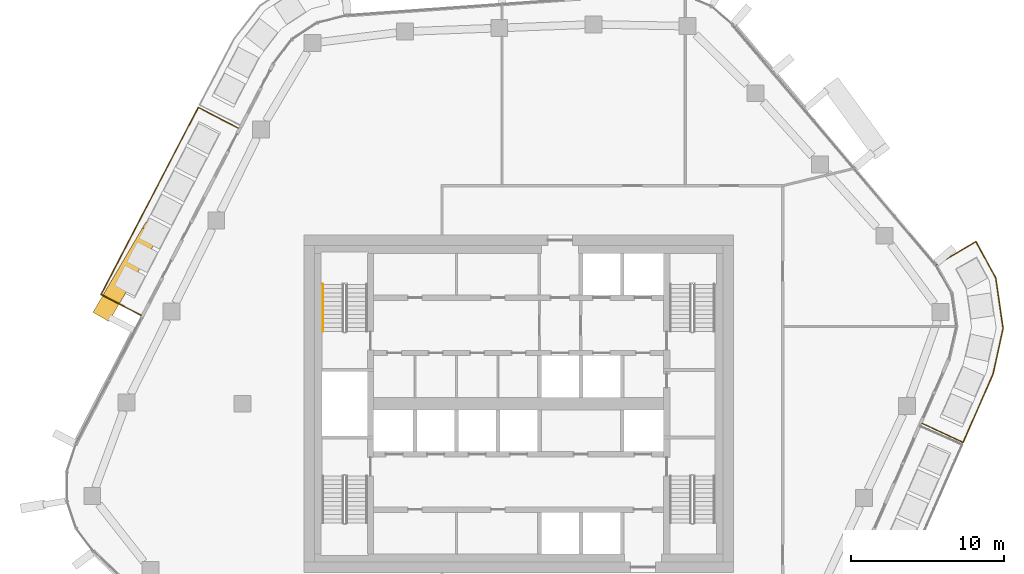
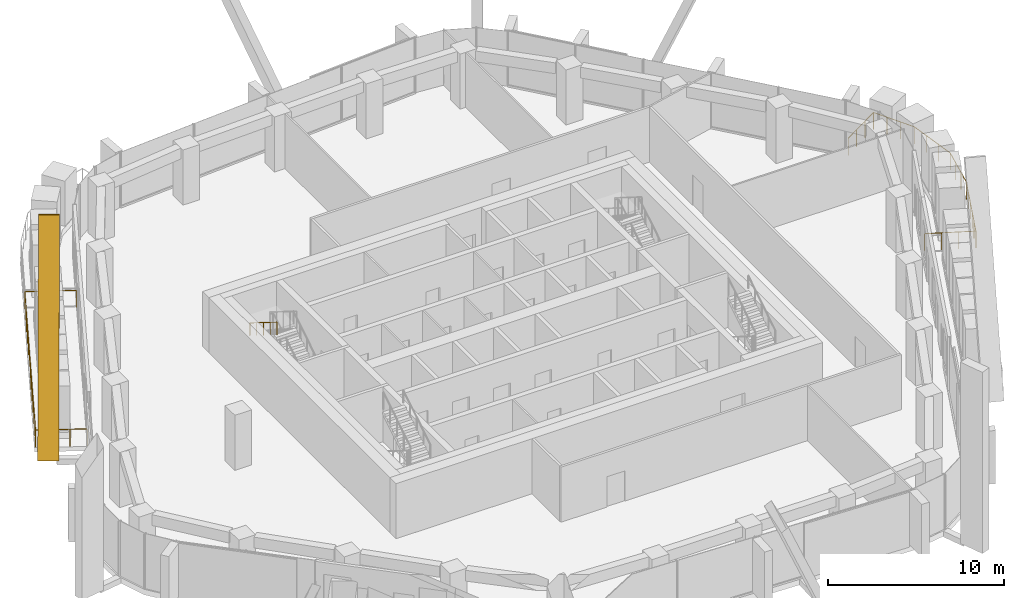
# One storey, part 17 of 20: 3 railings, 1 covering, 1 element without a shape of its own.
"""IFC4 building model written with IfcOpenShell, lengths in metres."""

from ifc_helpers import new_model, si_unit, direction, frame, origin, origin_2d, place, context, subcontext, project, spatial, rectangle, circle, extrude, material, layer, layer_set, material_profile, profile_set, type_object, element, aggregate, save


model = new_model("IFC4")

# Units and contexts
model_context = context("Model", 3, precision=1e-05, world=origin(), true_north=direction((0.0, 1.0)))
body_context = subcontext(model_context, "Body", "Model", "MODEL_VIEW")
ifc_project = project(units=[si_unit("LENGTHUNIT", "METRE"), si_unit("AREAUNIT", "SQUARE_METRE"), si_unit("VOLUMEUNIT", "CUBIC_METRE"), si_unit("PLANEANGLEUNIT", "RADIAN"), si_unit("MASSUNIT", "GRAM", prefix="KILO")], contexts=[model_context])

# Site, building, storey
site_placement = place(None, origin())
site = spatial("IfcSite", under=ifc_project, at=site_placement, CompositionType="ELEMENT")
building_placement = place(site_placement, origin())
building = spatial("IfcBuilding", under=site, at=building_placement, Name="Dongbaek Canopy Tower", CompositionType="ELEMENT")
storey_placement = place(building_placement, frame((0.0, 0.0, 266.39990234375)))
storey = spatial("IfcBuildingStorey", under=building, at=storey_placement, Name="L56", CompositionType="ELEMENT", Elevation=266.39990234375)

# Railings
ifc_material_1 = material(Name="Stainless steel", Category="steel")
railing_type_1 = type_object("IfcRailingType", Name="Balcony balustrade 1200", PredefinedType="BALUSTRADE", material=ifc_material_1)
railing_1_placement = place(storey_placement, frame((-18.266845703125, 17.95263671875, 0.0)))
element("IfcRailing", 1, at=railing_1_placement, inside=storey, type_object=railing_type_1, Name="Balcony guard L56 1", PredefinedType="BALUSTRADE", context=body_context, shape_type="SweptSolid", body=[
    extrude(circle(Radius=0.02392578125, at=origin_2d()), frame((0.0, 0.0, 1.17578125), z_axis=(-0.88746276603, 0.460879419057, 0.0), x_axis=(-0.460879419057, -0.88746276603, 0.0)), (0.0, 0.0, 1.0), 2.93994140625),
    extrude(circle(Radius=0.02392578125, at=origin_2d()), frame((-2.609130859375, 1.35498046875, 1.17578125), z_axis=(-0.460893866628, -0.887455262932, 0.0), x_axis=(0.887455262932, -0.460893866628, 0.0)), (0.0, 0.0, 1.0), 13.738525390625),
    extrude(circle(Radius=0.02392578125, at=origin_2d()), frame((-8.941162109375, -10.83740234375, 1.17578125), z_axis=(0.88746276603, -0.460879419057, 0.0), x_axis=(0.460879419057, 0.88746276603, 0.0)), (0.0, 0.0, 1.0), 2.93994140625),
    extrude(circle(Radius=0.02099609375, at=origin_2d()), origin(), (0.0, 0.0, 1.0), 1.15185546875),
    extrude(circle(Radius=0.02099609375, at=origin_2d()), frame((-0.86962890625, 0.45166015625, 0.0)), (0.0, 0.0, 1.0), 1.15185546875),
    extrude(circle(Radius=0.02099609375, at=origin_2d()), frame((-1.739501953125, 0.9033203125, 0.0)), (0.0, 0.0, 1.0), 1.15185546875),
    extrude(circle(Radius=0.02099609375, at=origin_2d()), frame((-2.609130859375, 1.35498046875, 0.0)), (0.0, 0.0, 1.0), 1.15185546875),
    extrude(circle(Radius=0.02099609375, at=origin_2d()), frame((-3.13671875, 0.3388671875, 0.0)), (0.0, 0.0, 1.0), 1.15185546875),
    extrude(circle(Radius=0.02099609375, at=origin_2d()), frame((-3.66455078125, -0.677001953125, 0.0)), (0.0, 0.0, 1.0), 1.15185546875),
    extrude(circle(Radius=0.02099609375, at=origin_2d()), frame((-4.192138671875, -1.693115234375, 0.0)), (0.0, 0.0, 1.0), 1.15185546875),
    extrude(circle(Radius=0.02099609375, at=origin_2d()), frame((-4.7197265625, -2.709228515625, 0.0)), (0.0, 0.0, 1.0), 1.15185546875),
    extrude(circle(Radius=0.02099609375, at=origin_2d()), frame((-5.24755859375, -3.72509765625, 0.0)), (0.0, 0.0, 1.0), 1.15185546875),
    extrude(circle(Radius=0.02099609375, at=origin_2d()), frame((-5.775146484375, -4.7412109375, 0.0)), (0.0, 0.0, 1.0), 1.15185546875),
    extrude(circle(Radius=0.02099609375, at=origin_2d()), frame((-6.302734375, -5.75732421875, 0.0)), (0.0, 0.0, 1.0), 1.15185546875),
    extrude(circle(Radius=0.02099609375, at=origin_2d()), frame((-6.83056640625, -6.773193359375, 0.0)), (0.0, 0.0, 1.0), 1.15185546875),
    extrude(circle(Radius=0.02099609375, at=origin_2d()), frame((-7.358154296875, -7.789306640625, 0.0)), (0.0, 0.0, 1.0), 1.15185546875),
    extrude(circle(Radius=0.02099609375, at=origin_2d()), frame((-7.8857421875, -8.805419921875, 0.0)), (0.0, 0.0, 1.0), 1.15185546875),
    extrude(circle(Radius=0.02099609375, at=origin_2d()), frame((-8.41357421875, -9.8212890625, 0.0)), (0.0, 0.0, 1.0), 1.15185546875),
    extrude(circle(Radius=0.02099609375, at=origin_2d()), frame((-8.941162109375, -10.83740234375, 0.0)), (0.0, 0.0, 1.0), 1.15185546875),
    extrude(circle(Radius=0.02099609375, at=origin_2d()), frame((-8.071533203125, -11.2890625, 0.0)), (0.0, 0.0, 1.0), 1.15185546875),
    extrude(circle(Radius=0.02099609375, at=origin_2d()), frame((-7.20166015625, -11.74072265625, 0.0)), (0.0, 0.0, 1.0), 1.15185546875),
    extrude(circle(Radius=0.02099609375, at=origin_2d()), frame((-6.33203125, -12.1923828125, 0.0)), (0.0, 0.0, 1.0), 1.15185546875),
])
railing_2_placement = place(storey_placement, frame((26.2900390625, -1.28662109375, 0.0)))
element("IfcRailing", 2, at=railing_2_placement, inside=storey, type_object=railing_type_1, Name="Balcony guard L56 4", PredefinedType="BALUSTRADE", context=body_context, shape_type="SweptSolid", body=[
    extrude(circle(Radius=0.02392578125, at=origin_2d()), frame((0.0, 0.0, 1.17578125), z_axis=(0.906628060989, -0.42193075146, 0.0), x_axis=(0.42193075146, 0.906628060989, 0.0)), (0.0, 0.0, 1.0), 2.940673828125),
    extrude(circle(Radius=0.02392578125, at=origin_2d()), frame((2.666015625, -1.24072265625, 1.17578125), z_axis=(0.400881930572, 0.916129727572, 0.0), x_axis=(-0.916129727572, 0.400881930572, 0.0)), (0.0, 0.0, 1.0), 4.87158203125),
    extrude(circle(Radius=0.02392578125, at=origin_2d()), frame((4.618896484375, 3.22216796875, 1.17578125), z_axis=(0.214642720729, 0.976692634578, 0.0), x_axis=(-0.976692634578, 0.214642720729, 0.0)), (0.0, 0.0, 1.0), 3.040283203125),
    extrude(circle(Radius=0.02392578125, at=origin_2d()), frame((5.271484375, 6.191650390625, 1.17578125), z_axis=(-0.143124483091, 0.989704694512, 0.0), x_axis=(-0.989704694512, -0.143124483091, 0.0)), (0.0, 0.0, 1.0), 3.31103515625),
    extrude(circle(Radius=0.02392578125, at=origin_2d()), frame((4.797607421875, 9.468505859375, 1.17578125), z_axis=(-0.47722074837, 0.878783453033, 0.0), x_axis=(-0.878783453033, -0.47722074837, 0.0)), (0.0, 0.0, 1.0), 2.717041015625),
    extrude(circle(Radius=0.02392578125, at=origin_2d()), frame((3.5009765625, 11.856201171875, 1.17578125), z_axis=(-0.859471809309, -0.511183146244, 0.0), x_axis=(0.511183146244, -0.859471809309, 0.0)), (0.0, 0.0, 1.0), 2.940673828125),
    extrude(circle(Radius=0.02099609375, at=origin_2d()), origin(), (0.0, 0.0, 1.0), 1.15185546875),
    extrude(circle(Radius=0.02099609375, at=origin_2d()), frame((0.888671875, -0.41357421875, 0.0)), (0.0, 0.0, 1.0), 1.15185546875),
    extrude(circle(Radius=0.02099609375, at=origin_2d()), frame((1.77734375, -0.8271484375, 0.0)), (0.0, 0.0, 1.0), 1.15185546875),
    extrude(circle(Radius=0.02099609375, at=origin_2d()), frame((2.666015625, -1.24072265625, 0.0)), (0.0, 0.0, 1.0), 1.15185546875),
    extrude(circle(Radius=0.02099609375, at=origin_2d()), frame((3.056640625, -0.34814453125, 0.0)), (0.0, 0.0, 1.0), 1.15185546875),
    extrude(circle(Radius=0.02099609375, at=origin_2d()), frame((3.447265625, 0.54443359375, 0.0)), (0.0, 0.0, 1.0), 1.15185546875),
    extrude(circle(Radius=0.02099609375, at=origin_2d()), frame((3.837646484375, 1.43701171875, 0.0)), (0.0, 0.0, 1.0), 1.15185546875),
    extrude(circle(Radius=0.02099609375, at=origin_2d()), frame((4.228271484375, 2.32958984375, 0.0)), (0.0, 0.0, 1.0), 1.15185546875),
    extrude(circle(Radius=0.02099609375, at=origin_2d()), frame((4.618896484375, 3.22216796875, 0.0)), (0.0, 0.0, 1.0), 1.15185546875),
    extrude(circle(Radius=0.02099609375, at=origin_2d()), frame((4.83642578125, 4.2119140625, 0.0)), (0.0, 0.0, 1.0), 1.15185546875),
    extrude(circle(Radius=0.02099609375, at=origin_2d()), frame((5.053955078125, 5.201904296875, 0.0)), (0.0, 0.0, 1.0), 1.15185546875),
    extrude(circle(Radius=0.02099609375, at=origin_2d()), frame((5.271484375, 6.191650390625, 0.0)), (0.0, 0.0, 1.0), 1.15185546875),
    extrude(circle(Radius=0.02099609375, at=origin_2d()), frame((5.113525390625, 7.283935546875, 0.0)), (0.0, 0.0, 1.0), 1.15185546875),
    extrude(circle(Radius=0.02099609375, at=origin_2d()), frame((4.95556640625, 8.376220703125, 0.0)), (0.0, 0.0, 1.0), 1.15185546875),
    extrude(circle(Radius=0.02099609375, at=origin_2d()), frame((4.797607421875, 9.468505859375, 0.0)), (0.0, 0.0, 1.0), 1.15185546875),
    extrude(circle(Radius=0.02099609375, at=origin_2d()), frame((4.365478515625, 10.264404296875, 0.0)), (0.0, 0.0, 1.0), 1.15185546875),
    extrude(circle(Radius=0.02099609375, at=origin_2d()), frame((3.93310546875, 11.060302734375, 0.0)), (0.0, 0.0, 1.0), 1.15185546875),
    extrude(circle(Radius=0.02099609375, at=origin_2d()), frame((3.5009765625, 11.856201171875, 0.0)), (0.0, 0.0, 1.0), 1.15185546875),
    extrude(circle(Radius=0.02099609375, at=origin_2d()), frame((2.658447265625, 11.355224609375, 0.0)), (0.0, 0.0, 1.0), 1.15185546875),
    extrude(circle(Radius=0.02099609375, at=origin_2d()), frame((1.816162109375, 10.85400390625, 0.0)), (0.0, 0.0, 1.0), 1.15185546875),
    extrude(circle(Radius=0.02099609375, at=origin_2d()), frame((0.9736328125, 10.35302734375, 0.0)), (0.0, 0.0, 1.0), 1.15185546875),
])

# Curtain wall, covering
ifc_material_2 = material(Name="Aluminium 6063-T6 pale anodised", Category="aluminium")
ifc_layer = layer(ifc_material_2, 0.199951171875)
ifc_layer_set = layer_set([ifc_layer], Name="CW-1 unitised tower curtain wall")
curtain_wall_type = type_object("IfcCurtainWallType", Name="CW-1 unitised tower curtain wall", PredefinedType="NOTDEFINED", material=ifc_layer_set)
curtain_wall_placement = place(storey_placement, origin())
curtain_wall = element("IfcCurtainWall", 3, at=curtain_wall_placement, inside=storey, type_object=curtain_wall_type, Name="CW-1 curtain wall F2.1", PredefinedType="NOTDEFINED")
ifc_material_3 = material(Name="Aluminium 6063-T6 pale metal fin", Category="aluminium")
ifc_material_profile = material_profile(ifc_material_3, rectangle(XDim=1.199951171875, YDim=0.5, at=origin_2d()), Name="Crease fin CF1 500 x 1200 pale metal")
ifc_profile_set = profile_set([ifc_material_profile], Name="Aluminium 6063-T6 pale metal fin")
covering_type = type_object("IfcCoveringType", Name="Crease fin CF1 500 x 1200 pale metal", PredefinedType="CLADDING", material=ifc_profile_set)
covering_placement = place(storey_placement, frame((-27.1064453125, 5.849609375, -0.18994140625), z_axis=(0.228634665176, 0.389717786427, 0.892102144837), x_axis=(-0.86252468314, 0.506014990859, 0.0)))
covering = element("IfcCovering", 4, at=covering_placement, type_object=covering_type, Name="Crease fin L56 L59 F2", PredefinedType="CLADDING", context=body_context, shape_type="SweptSolid", body=[
    extrude(rectangle(XDim=1.199951171875, YDim=0.5, at=origin_2d()), origin(), (0.0, 0.0, 1.0), 14.1240234375),
])
aggregate(curtain_wall, [covering])

# Railing
ifc_material_4 = material(Name="Stainless steel tube", Category="steel")
railing_type_2 = type_object("IfcRailingType", Name="Stair handrail 900", PredefinedType="HANDRAIL", material=ifc_material_4)
railing_3_placement = place(storey_placement, frame((-12.75, 7.780029296875, 2.275146484375)))
element("IfcRailing", 5, at=railing_3_placement, inside=storey, type_object=railing_type_2, Name="L56 ST-C stair handrail 2", PredefinedType="HANDRAIL", context=body_context, shape_type="SweptSolid", body=[
    extrude(circle(Radius=0.02392578125, at=origin_2d()), frame((0.0, 0.0, 0.8759765625), z_axis=(0.0, -0.847998304005, 0.529998940003), x_axis=(1.0, 0.0, 0.0)), (0.0, 0.0, 1.0), 3.632080078125),
    extrude(circle(Radius=0.02099609375, at=origin_2d()), origin(), (0.0, 0.0, 1.0), 0.851806640625),
    extrude(circle(Radius=0.02099609375, at=origin_2d()), frame((0.0, -0.77001953125, 0.481201171875)), (0.0, 0.0, 1.0), 0.851806640625),
    extrude(circle(Radius=0.02099609375, at=origin_2d()), frame((0.0, -1.5400390625, 0.96240234375)), (0.0, 0.0, 1.0), 0.851806640625),
    extrude(circle(Radius=0.02099609375, at=origin_2d()), frame((0.0, -2.31005859375, 1.44384765625)), (0.0, 0.0, 1.0), 0.851806640625),
    extrude(circle(Radius=0.02099609375, at=origin_2d()), frame((0.0, -3.080078125, 1.925048828125)), (0.0, 0.0, 1.0), 0.851806640625),
])

save(model, "model.ifc")
